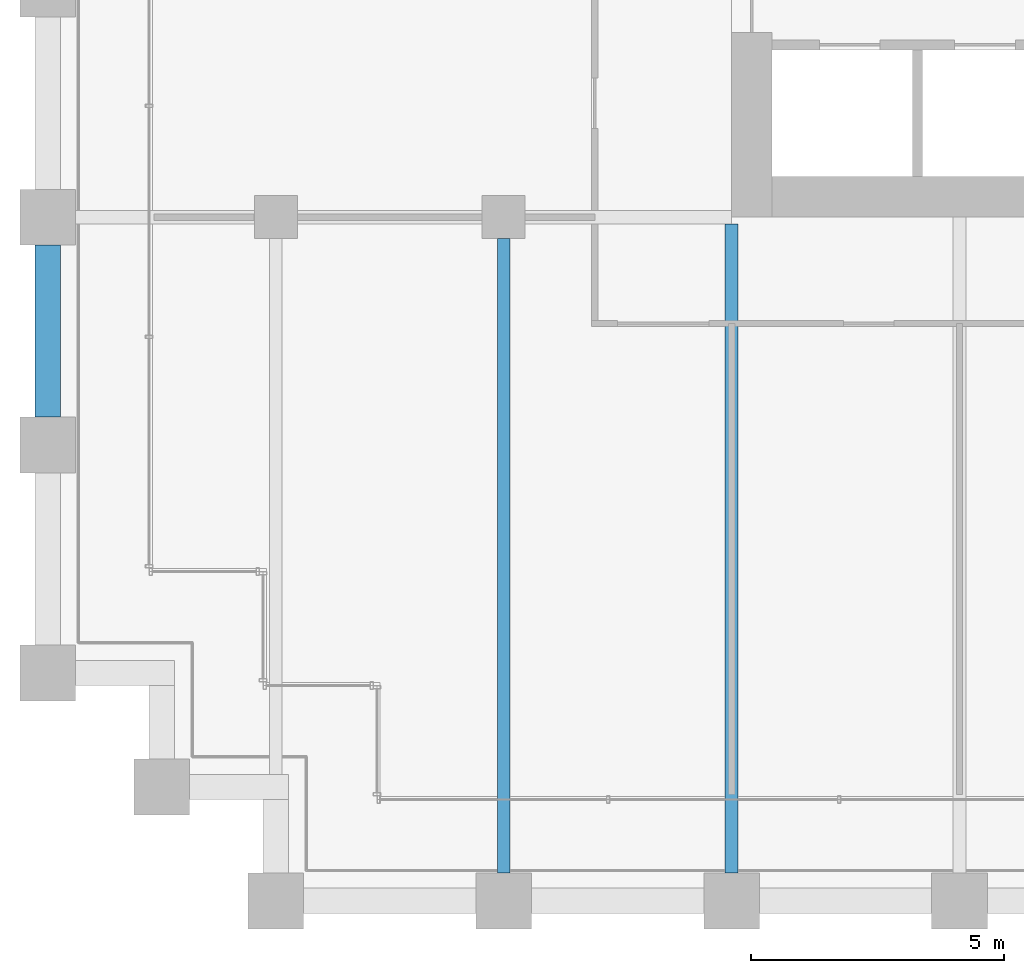
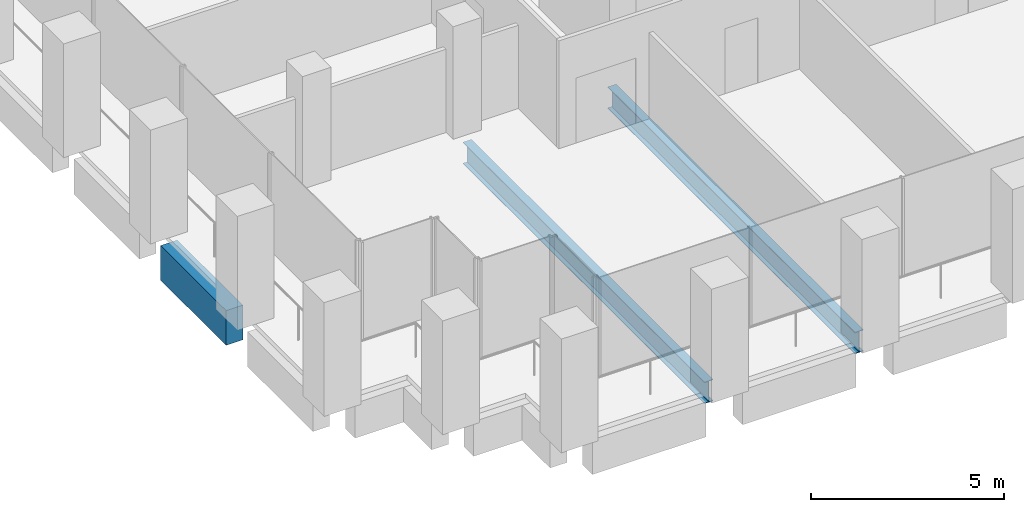
# One storey, part 4 of 56: 3 beams.
"""IFC4 building model written with IfcOpenShell, lengths in metres."""

from ifc_helpers import new_model, si_unit, direction, frame, origin, origin_2d, place, context, subcontext, project, spatial, rectangle, i_section, extrude, material, material_profile, profile_set, type_object, element, save


model = new_model("IFC4")

# Units and contexts
model_context = context("Model", 3, precision=1e-05, world=origin(), true_north=direction((0.0, 1.0)))
body_context = subcontext(model_context, "Body", "Model", "MODEL_VIEW")
ifc_project = project(units=[si_unit("LENGTHUNIT", "METRE"), si_unit("AREAUNIT", "SQUARE_METRE"), si_unit("VOLUMEUNIT", "CUBIC_METRE"), si_unit("PLANEANGLEUNIT", "RADIAN"), si_unit("MASSUNIT", "GRAM", prefix="KILO")], contexts=[model_context])

# Site, building, storey
site_placement = place(None, origin())
site = spatial("IfcSite", under=ifc_project, at=site_placement, CompositionType="ELEMENT")
building_placement = place(site_placement, origin())
building = spatial("IfcBuilding", under=site, at=building_placement, Name="Altepetl Exchange Towers", CompositionType="ELEMENT")
storey_placement = place(building_placement, frame((0.0, 0.0, 51.0)))
storey = spatial("IfcBuildingStorey", under=building, at=storey_placement, Name="L11", CompositionType="ELEMENT", Elevation=51.0)

# Beams
ifc_material_1 = material(Name="Steel S355", Category="steel")
ifc_material_profile_1 = material_profile(ifc_material_1, i_section(OverallWidth=0.25390625, OverallDepth=0.68408203125, WebThickness=0.012451171875, FlangeThickness=0.018798828125, at=origin_2d()), Name="W27X94")
ifc_profile_set_1 = profile_set([ifc_material_profile_1], Name="Steel S355")
beam_type_1 = type_object("IfcBeamType", Name="Floor beam W27X94", PredefinedType="BEAM", material=ifc_profile_set_1)
beam_1_placement = place(storey_placement, frame((36.0, 27.550048828125, -0.491943359375), z_axis=(0.0, 1.0, 0.0), x_axis=(-1.0, 0.0, 0.0)))
element("IfcBeam", 1, at=beam_1_placement, inside=storey, type_object=beam_type_1, Name="bm:A:L11:013", PredefinedType="BEAM", context=body_context, shape_type="SweptSolid", body=[
    extrude(i_section(OverallWidth=0.25390625, OverallDepth=0.68408203125, WebThickness=0.012451171875, FlangeThickness=0.018798828125, at=origin_2d()), origin(), (0.0, 0.0, 1.0), 12.52490234375),
])
beam_2_placement = place(storey_placement, frame((40.5, 27.550048828125, -0.491943359375), z_axis=(0.0, 1.0, 0.0), x_axis=(-1.0, 0.0, 0.0)))
element("IfcBeam", 2, at=beam_2_placement, inside=storey, type_object=beam_type_1, Name="bm:A:L11:014", PredefinedType="BEAM", context=body_context, shape_type="SweptSolid", body=[
    extrude(i_section(OverallWidth=0.25390625, OverallDepth=0.68408203125, WebThickness=0.012451171875, FlangeThickness=0.018798828125, at=origin_2d()), origin(), (0.0, 0.0, 1.0), 12.81591796875),
])
ifc_material_2 = material(Name="Concrete C50/60 precast with cantera blanca facing", Category="concrete")
ifc_material_profile_2 = material_profile(ifc_material_2, rectangle(XDim=0.5, YDim=1.10009765625, at=origin_2d()), Name="500 x 1100")
ifc_profile_set_2 = profile_set([ifc_material_profile_2], Name="Concrete C50/60 precast with cantera blanca facing")
beam_type_2 = type_object("IfcBeamType", Name="Spandrel beam 500x1100 cantera blanca", PredefinedType="SPANDREL", material=ifc_profile_set_2)
beam_3_placement = place(storey_placement, frame((27.0, 39.949951171875, -0.699951171875), z_axis=(0.0, -1.0, 0.0), x_axis=(1.0, 0.0, 0.0)))
element("IfcBeam", 3, at=beam_3_placement, inside=storey, type_object=beam_type_2, Name="sp:A:L11:042", PredefinedType="SPANDREL", context=body_context, shape_type="SweptSolid", body=[
    extrude(rectangle(XDim=0.5, YDim=1.10009765625, at=origin_2d()), origin(), (0.0, 0.0, 1.0), 3.39990234375),
])

save(model, "model.ifc")
